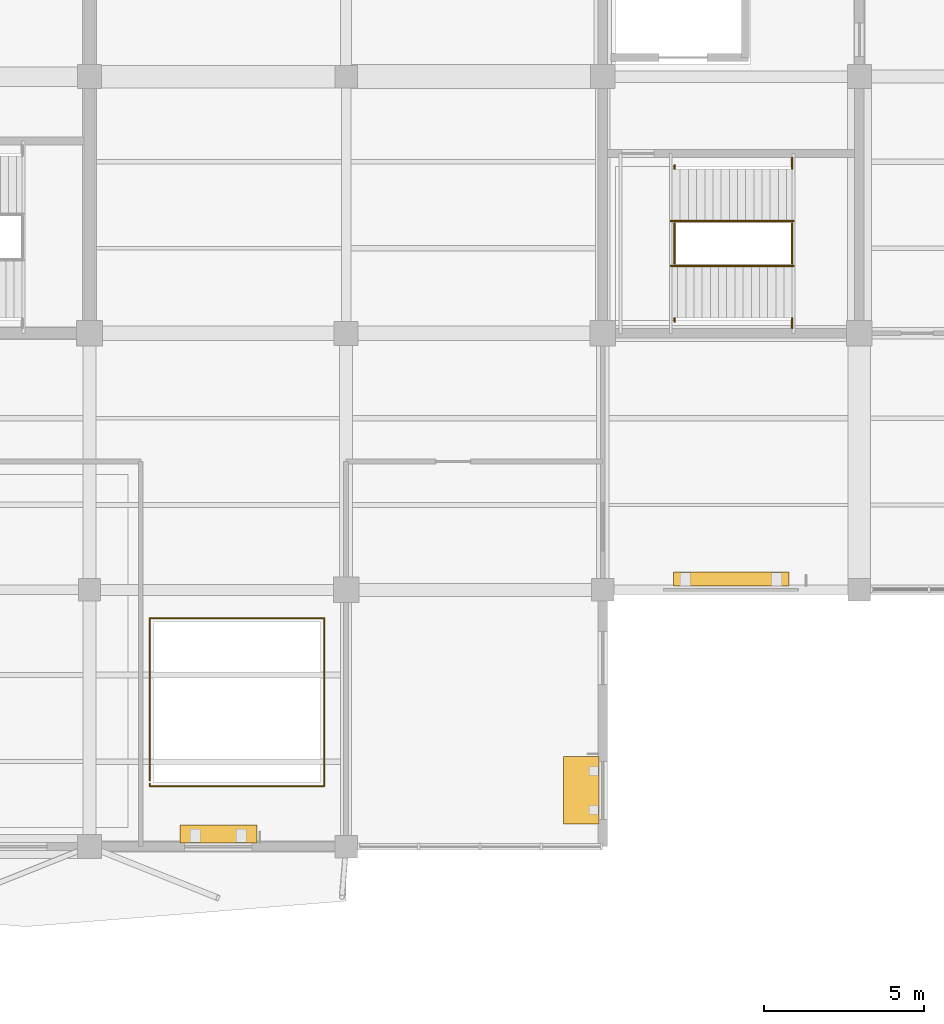
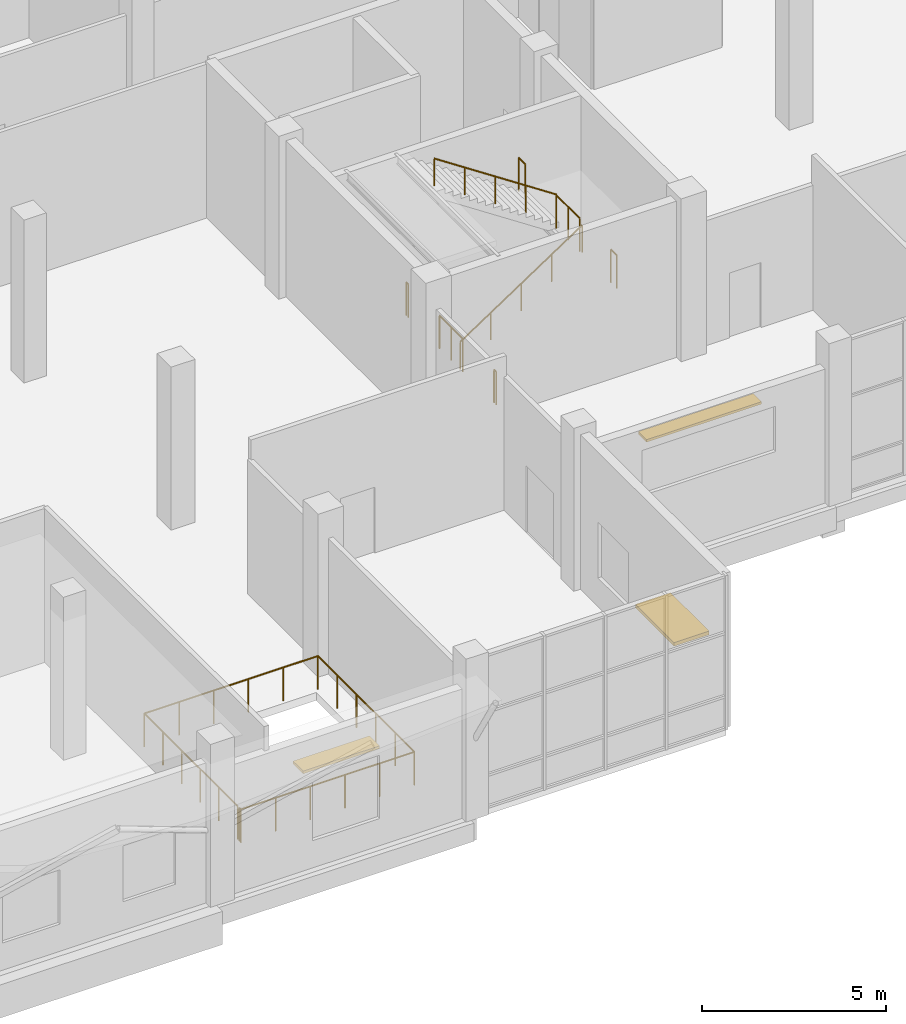
# One storey, part 117 of 122: 9 railings, 3 shading devices, 1 element without a shape of its own.
"""IFC4 building model written with IfcOpenShell, lengths in metres."""

from ifc_helpers import new_model, si_unit, direction, frame, origin, origin_2d, place, context, subcontext, project, spatial, rectangle, circle, extrude, material, layer, layer_set, type_object, element, aggregate, save


model = new_model("IFC4")

# Units and contexts
model_context = context("Model", 3, precision=1e-05, world=origin(), true_north=direction((0.0, 1.0)))
body_context = subcontext(model_context, "Body", "Model", "MODEL_VIEW")
ifc_project = project(units=[si_unit("LENGTHUNIT", "METRE"), si_unit("AREAUNIT", "SQUARE_METRE"), si_unit("VOLUMEUNIT", "CUBIC_METRE"), si_unit("PLANEANGLEUNIT", "RADIAN"), si_unit("MASSUNIT", "GRAM", prefix="KILO")], contexts=[model_context])

# Site, building, storey
site_placement = place(None, origin())
site = spatial("IfcSite", under=ifc_project, at=site_placement, CompositionType="ELEMENT")
building_placement = place(site_placement, origin())
building = spatial("IfcBuilding", under=site, at=building_placement, Name="Tenunan Teduh Sports Hall", CompositionType="ELEMENT")
storey_placement = place(building_placement, frame((0.0, 0.0, 5.39990234375)))
storey = spatial("IfcBuildingStorey", under=building, at=storey_placement, Name="L01", CompositionType="ELEMENT", Elevation=5.39990234375)

# Railings
ifc_material_1 = material(Name="Laminated safety glass and stainless steel", Category="steel")
ifc_layer_1 = layer(ifc_material_1, 0.080078125)
ifc_layer_set_1 = layer_set([ifc_layer_1], Name="Laminated safety glass and stainless steel")
railing_type_1 = type_object("IfcRailingType", Name="RLG-BAL-GLZ", PredefinedType="BALUSTRADE", material=ifc_layer_set_1)
railing_1_placement = place(storey_placement, frame((39.8798828125, 79.9599609375, 0.0)))
element("IfcRailing", 1, at=railing_1_placement, inside=storey, type_object=railing_type_1, Name="RLG-L01-V5W-VOID", PredefinedType="BALUSTRADE", context=body_context, shape_type="SweptSolid", body=[
    extrude(circle(Radius=0.02392578125, at=origin_2d()), frame((0.0, 0.0, 1.09619140625), z_axis=(0.0, -1.0, 0.0), x_axis=(1.0, 0.0, 0.0)), (0.0, 0.0, 1.0), 0.080078125),
    extrude(circle(Radius=0.02392578125, at=origin_2d()), frame((0.0, -0.080078125, 1.09619140625), z_axis=(1.0, 0.0, 0.0), x_axis=(0.0, 1.0, 0.0)), (0.0, 0.0, 1.0), 5.440185546875),
    extrude(circle(Radius=0.02392578125, at=origin_2d()), frame((5.440185546875, -0.080078125, 1.09619140625), z_axis=(0.0, 1.0, 0.0), x_axis=(-1.0, 0.0, 0.0)), (0.0, 0.0, 1.0), 5.240234375),
    extrude(circle(Radius=0.02392578125, at=origin_2d()), frame((5.440185546875, 5.16015625, 1.09619140625), z_axis=(-1.0, 0.0, 0.0), x_axis=(0.0, -1.0, 0.0)), (0.0, 0.0, 1.0), 5.440185546875),
    extrude(circle(Radius=0.02392578125, at=origin_2d()), frame((0.0, 5.16015625, 1.09619140625), z_axis=(0.0, -1.0, 0.0), x_axis=(1.0, 0.0, 0.0)), (0.0, 0.0, 1.0), 5.06005859375),
    extrude(circle(Radius=0.02099609375, at=origin_2d()), origin(), (0.0, 0.0, 1.0), 1.072021484375),
    extrude(circle(Radius=0.02099609375, at=origin_2d()), frame((0.0, -0.080078125, 0.0)), (0.0, 0.0, 1.0), 1.072021484375),
    extrude(circle(Radius=0.02099609375, at=origin_2d()), frame((1.088134765625, -0.080078125, 0.0)), (0.0, 0.0, 1.0), 1.072021484375),
    extrude(circle(Radius=0.02099609375, at=origin_2d()), frame((2.176025390625, -0.080078125, 0.0)), (0.0, 0.0, 1.0), 1.072021484375),
    extrude(circle(Radius=0.02099609375, at=origin_2d()), frame((3.26416015625, -0.080078125, 0.0)), (0.0, 0.0, 1.0), 1.072021484375),
    extrude(circle(Radius=0.02099609375, at=origin_2d()), frame((4.35205078125, -0.080078125, 0.0)), (0.0, 0.0, 1.0), 1.072021484375),
    extrude(circle(Radius=0.02099609375, at=origin_2d()), frame((5.440185546875, -0.080078125, 0.0)), (0.0, 0.0, 1.0), 1.072021484375),
    extrude(circle(Radius=0.02099609375, at=origin_2d()), frame((5.440185546875, 0.968017578125, 0.0)), (0.0, 0.0, 1.0), 1.072021484375),
    extrude(circle(Radius=0.02099609375, at=origin_2d()), frame((5.440185546875, 2.01611328125, 0.0)), (0.0, 0.0, 1.0), 1.072021484375),
    extrude(circle(Radius=0.02099609375, at=origin_2d()), frame((5.440185546875, 3.06396484375, 0.0)), (0.0, 0.0, 1.0), 1.072021484375),
    extrude(circle(Radius=0.02099609375, at=origin_2d()), frame((5.440185546875, 4.112060546875, 0.0)), (0.0, 0.0, 1.0), 1.072021484375),
    extrude(circle(Radius=0.02099609375, at=origin_2d()), frame((5.440185546875, 5.16015625, 0.0)), (0.0, 0.0, 1.0), 1.072021484375),
    extrude(circle(Radius=0.02099609375, at=origin_2d()), frame((4.35205078125, 5.16015625, 0.0)), (0.0, 0.0, 1.0), 1.072021484375),
    extrude(circle(Radius=0.02099609375, at=origin_2d()), frame((3.26416015625, 5.16015625, 0.0)), (0.0, 0.0, 1.0), 1.072021484375),
    extrude(circle(Radius=0.02099609375, at=origin_2d()), frame((2.176025390625, 5.16015625, 0.0)), (0.0, 0.0, 1.0), 1.072021484375),
    extrude(circle(Radius=0.02099609375, at=origin_2d()), frame((1.088134765625, 5.16015625, 0.0)), (0.0, 0.0, 1.0), 1.072021484375),
    extrude(circle(Radius=0.02099609375, at=origin_2d()), frame((0.0, 5.16015625, 0.0)), (0.0, 0.0, 1.0), 1.072021484375),
    extrude(circle(Radius=0.02099609375, at=origin_2d()), frame((0.0, 4.148193359375, 0.0)), (0.0, 0.0, 1.0), 1.072021484375),
    extrude(circle(Radius=0.02099609375, at=origin_2d()), frame((0.0, 3.13623046875, 0.0)), (0.0, 0.0, 1.0), 1.072021484375),
    extrude(circle(Radius=0.02099609375, at=origin_2d()), frame((0.0, 2.1240234375, 0.0)), (0.0, 0.0, 1.0), 1.072021484375),
    extrude(circle(Radius=0.02099609375, at=origin_2d()), frame((0.0, 1.112060546875, 0.0)), (0.0, 0.0, 1.0), 1.072021484375),
    extrude(circle(Radius=0.02099609375, at=origin_2d()), frame((0.0, 0.10009765625, 0.0)), (0.0, 0.0, 1.0), 1.072021484375),
])
ifc_material_2 = material(Name="Galvanised and powder-coated steel", Category="steel")
ifc_layer_2 = layer(ifc_material_2, 0.070068359375)
ifc_layer_set_2 = layer_set([ifc_layer_2], Name="Galvanised and powder-coated steel")
railing_type_2 = type_object("IfcRailingType", Name="RLG-EXT-GRD", PredefinedType="GUARDRAIL", material=ifc_layer_set_2)
railing_2_placement = place(storey_placement, frame((56.239990234375, 96.169921875, 0.0)))
element("IfcRailing", 2, at=railing_2_placement, inside=storey, type_object=railing_type_2, Name="RLG-STW-WLND-W3-L00", PredefinedType="GUARDRAIL", context=body_context, shape_type="SweptSolid", body=[
    extrude(circle(Radius=0.02392578125, at=origin_2d()), frame((0.0, 0.0, 1.09619140625), z_axis=(0.0, 1.0, 0.0), x_axis=(-1.0, 0.0, 0.0)), (0.0, 0.0, 1.0), 1.260009765625),
    extrude(circle(Radius=0.02099609375, at=origin_2d()), origin(), (0.0, 0.0, 1.0), 1.072021484375),
    extrude(circle(Radius=0.02099609375, at=origin_2d()), frame((0.0, 0.6298828125, 0.0)), (0.0, 0.0, 1.0), 1.072021484375),
    extrude(circle(Radius=0.02099609375, at=origin_2d()), frame((0.0, 1.260009765625, 0.0)), (0.0, 0.0, 1.0), 1.072021484375),
])
railing_3_placement = place(storey_placement, frame((56.239990234375, 94.360107421875, 0.0)))
element("IfcRailing", 3, at=railing_3_placement, inside=storey, type_object=railing_type_2, Name="RLG-STW-WLNDS-W3-L00", PredefinedType="GUARDRAIL", context=body_context, shape_type="SweptSolid", body=[
    extrude(circle(Radius=0.02392578125, at=origin_2d()), frame((0.0, 0.0, 1.09619140625), z_axis=(0.0, 1.0, 0.0), x_axis=(-1.0, 0.0, 0.0)), (0.0, 0.0, 1.0), 0.10986328125),
    extrude(circle(Radius=0.02099609375, at=origin_2d()), origin(), (0.0, 0.0, 1.0), 1.072021484375),
    extrude(circle(Radius=0.02099609375, at=origin_2d()), frame((0.0, 0.10986328125, 0.0)), (0.0, 0.0, 1.0), 1.072021484375),
])
railing_4_placement = place(storey_placement, frame((56.239990234375, 99.1298828125, 0.0)))
element("IfcRailing", 4, at=railing_4_placement, inside=storey, type_object=railing_type_2, Name="RLG-STW-WLNDN-W3-L00", PredefinedType="GUARDRAIL", context=body_context, shape_type="SweptSolid", body=[
    extrude(circle(Radius=0.02392578125, at=origin_2d()), frame((0.0, 0.0, 1.09619140625), z_axis=(0.0, 1.0, 0.0), x_axis=(-1.0, 0.0, 0.0)), (0.0, 0.0, 1.0), 0.110107421875),
    extrude(circle(Radius=0.02099609375, at=origin_2d()), origin(), (0.0, 0.0, 1.0), 1.072021484375),
    extrude(circle(Radius=0.02099609375, at=origin_2d()), frame((0.0, 0.110107421875, 0.0)), (0.0, 0.0, 1.0), 1.072021484375),
])
railing_5_placement = place(storey_placement, frame((59.905029296875, 96.169921875, 2.7001953125)))
element("IfcRailing", 5, at=railing_5_placement, inside=storey, type_object=railing_type_2, Name="RLG-STW-MID-W3-L01", PredefinedType="GUARDRAIL", context=body_context, shape_type="SweptSolid", body=[
    extrude(circle(Radius=0.02392578125, at=origin_2d()), frame((0.0, 0.0, 1.09619140625), z_axis=(0.0, 1.0, 0.0), x_axis=(-1.0, 0.0, 0.0)), (0.0, 0.0, 1.0), 1.260009765625),
    extrude(circle(Radius=0.02099609375, at=origin_2d()), origin(), (0.0, 0.0, 1.0), 1.072021484375),
    extrude(circle(Radius=0.02099609375, at=origin_2d()), frame((0.0, 0.6298828125, 0.0)), (0.0, 0.0, 1.0), 1.072021484375),
    extrude(circle(Radius=0.02099609375, at=origin_2d()), frame((0.0, 1.260009765625, 0.0)), (0.0, 0.0, 1.0), 1.072021484375),
])
railing_6_placement = place(storey_placement, frame((59.905029296875, 94.159912109375, 2.7001953125)))
element("IfcRailing", 6, at=railing_6_placement, inside=storey, type_object=railing_type_2, Name="RLG-STW-MIDS-W3-L01", PredefinedType="GUARDRAIL", context=body_context, shape_type="SweptSolid", body=[
    extrude(circle(Radius=0.02392578125, at=origin_2d()), frame((0.0, 0.0, 1.09619140625), z_axis=(0.0, 1.0, 0.0), x_axis=(-1.0, 0.0, 0.0)), (0.0, 0.0, 1.0), 0.31005859375),
    extrude(circle(Radius=0.02099609375, at=origin_2d()), origin(), (0.0, 0.0, 1.0), 1.072021484375),
    extrude(circle(Radius=0.02099609375, at=origin_2d()), frame((0.0, 0.31005859375, 0.0)), (0.0, 0.0, 1.0), 1.072021484375),
])
railing_7_placement = place(storey_placement, frame((59.905029296875, 99.1298828125, 2.7001953125)))
element("IfcRailing", 7, at=railing_7_placement, inside=storey, type_object=railing_type_2, Name="RLG-STW-MIDN-W3-L01", PredefinedType="GUARDRAIL", context=body_context, shape_type="SweptSolid", body=[
    extrude(circle(Radius=0.02392578125, at=origin_2d()), frame((0.0, 0.0, 1.09619140625), z_axis=(0.0, 1.0, 0.0), x_axis=(-1.0, 0.0, 0.0)), (0.0, 0.0, 1.0), 0.340087890625),
    extrude(circle(Radius=0.02099609375, at=origin_2d()), origin(), (0.0, 0.0, 1.0), 1.072021484375),
    extrude(circle(Radius=0.02099609375, at=origin_2d()), frame((0.0, 0.340087890625, 0.0)), (0.0, 0.0, 1.0), 1.072021484375),
])

# Stair, railings
ifc_material_3 = material(Name="Precast concrete C40/50", Category="concrete")
stair_type = type_object("IfcStairType", Name="STR-CORE-42", PredefinedType="HALF_TURN_STAIR", material=ifc_material_3)
stair_placement = place(storey_placement, origin())
stair = element("IfcStair", 8, at=stair_placement, inside=storey, type_object=stair_type, Name="STR-W3-L01", PredefinedType="HALF_TURN_STAIR")
ifc_material_4 = material(Name="Brushed stainless steel", Category="steel")
ifc_layer_3 = layer(ifc_material_4, 0.050048828125)
ifc_layer_set_3 = layer_set([ifc_layer_3], Name="Brushed stainless steel")
railing_type_3 = type_object("IfcRailingType", Name="RLG-STAIR-HR", PredefinedType="HANDRAIL", material=ifc_layer_set_3)
railing_8_placement = place(storey_placement, frame((56.1201171875, 96.10009765625, 0.1689453125)))
railing_8 = element("IfcRailing", 9, at=railing_8_placement, type_object=railing_type_3, Name="STR-W3-L01-HR1", PredefinedType="HANDRAIL", context=body_context, shape_type="SweptSolid", body=[
    extrude(circle(Radius=0.02392578125, at=origin_2d()), frame((0.0, 0.0, 0.89599609375), z_axis=(0.833928963496, 0.0, 0.551871800187), x_axis=(0.0, 1.0, 0.0)), (0.0, 0.0, 1.0), 4.586669921875),
    extrude(circle(Radius=0.02099609375, at=origin_2d()), origin(), (0.0, 0.0, 1.0), 0.871826171875),
    extrude(circle(Radius=0.02099609375, at=origin_2d()), frame((0.956298828125, 0.0, 0.6328125)), (0.0, 0.0, 1.0), 0.871826171875),
    extrude(circle(Radius=0.02099609375, at=origin_2d()), frame((1.91259765625, 0.0, 1.265625)), (0.0, 0.0, 1.0), 0.871826171875),
    extrude(circle(Radius=0.02099609375, at=origin_2d()), frame((2.86865234375, 0.0, 1.8984375)), (0.0, 0.0, 1.0), 0.871826171875),
    extrude(circle(Radius=0.02099609375, at=origin_2d()), frame((3.824951171875, 0.0, 2.53125)), (0.0, 0.0, 1.0), 0.871826171875),
])
railing_9_placement = place(storey_placement, frame((59.945068359375, 97.5, 2.868896484375)))
railing_9 = element("IfcRailing", 10, at=railing_9_placement, type_object=railing_type_3, Name="STR-W3-L01-HR2", PredefinedType="HANDRAIL", context=body_context, shape_type="SweptSolid", body=[
    extrude(circle(Radius=0.02392578125, at=origin_2d()), frame((0.0, 0.0, 0.89599609375), z_axis=(-0.833928963496, 0.0, 0.551871800187), x_axis=(0.0, -1.0, 0.0)), (0.0, 0.0, 1.0), 4.586669921875),
    extrude(circle(Radius=0.02099609375, at=origin_2d()), origin(), (0.0, 0.0, 1.0), 0.871826171875),
    extrude(circle(Radius=0.02099609375, at=origin_2d()), frame((-0.956298828125, 0.0, 0.6328125)), (0.0, 0.0, 1.0), 0.871826171875),
    extrude(circle(Radius=0.02099609375, at=origin_2d()), frame((-1.91259765625, 0.0, 1.265625)), (0.0, 0.0, 1.0), 0.871826171875),
    extrude(circle(Radius=0.02099609375, at=origin_2d()), frame((-2.86865234375, 0.0, 1.8984375)), (0.0, 0.0, 1.0), 0.871826171875),
    extrude(circle(Radius=0.02099609375, at=origin_2d()), frame((-3.824951171875, 0.0, 2.53125)), (0.0, 0.0, 1.0), 0.871826171875),
])
aggregate(stair, [railing_8, railing_9])

# Shading devices
ifc_material_5 = material(Name="Perforated anodised aluminium", Category="aluminium")
shading_device_type_1 = type_object("IfcShadingDeviceType", Name="SHD-LOUVRE-1", PredefinedType="AWNING", material=ifc_material_5)
shading_device_1_placement = place(storey_placement, frame((58.0, 86.340087890625, 3.77001953125), z_axis=(0.0, 0.0, 1.0), x_axis=(1.0, 0.0, 0.0)))
element("IfcShadingDevice", 11, at=shading_device_1_placement, inside=storey, type_object=shading_device_type_1, Name="SHD-L01-027", PredefinedType="AWNING", context=body_context, shape_type="SweptSolid", body=[
    extrude(rectangle(XDim=3.60009765625, YDim=0.449951171875, at=origin_2d()), origin(), (0.0, 0.0, 1.0), 0.080078125),
])
ifc_material_6 = material(Name="Perforated anodised aluminium", Category="aluminium")
shading_device_type_2 = type_object("IfcShadingDeviceType", Name="SHD-LOUVRE-2", PredefinedType="SHUTTER", material=ifc_material_6)
shading_device_2_placement = place(storey_placement, frame((42.014892578125, 78.389892578125, 3.01513671875), z_axis=(0.0, 0.0, 1.0), x_axis=(1.0, 0.0, 0.0)))
element("IfcShadingDevice", 12, at=shading_device_2_placement, inside=storey, type_object=shading_device_type_2, Name="SHD-L01-025", PredefinedType="SHUTTER", context=body_context, shape_type="SweptSolid", body=[
    extrude(rectangle(XDim=2.39990234375, YDim=0.550048828125, at=origin_2d()), origin(), (0.0, 0.0, 1.0), 0.090087890625),
])
ifc_material_7 = material(Name="Perforated anodised aluminium", Category="aluminium")
shading_device_type_3 = type_object("IfcShadingDeviceType", Name="SHD-SUNSHADE-1", PredefinedType="JALOUSIE", material=ifc_material_7)
shading_device_3_placement = place(storey_placement, frame((53.330078125, 79.75, 2.699951171875), z_axis=(0.0, 0.0, 1.0), x_axis=(0.0, 1.0, 0.0)))
element("IfcShadingDevice", 13, at=shading_device_3_placement, inside=storey, type_object=shading_device_type_3, Name="SHD-L01-026", PredefinedType="JALOUSIE", context=body_context, shape_type="SweptSolid", body=[
    extrude(rectangle(XDim=2.10009765625, YDim=1.10009765625, at=origin_2d()), origin(), (0.0, 0.0, 1.0), 0.1201171875),
])

save(model, "model.ifc")
